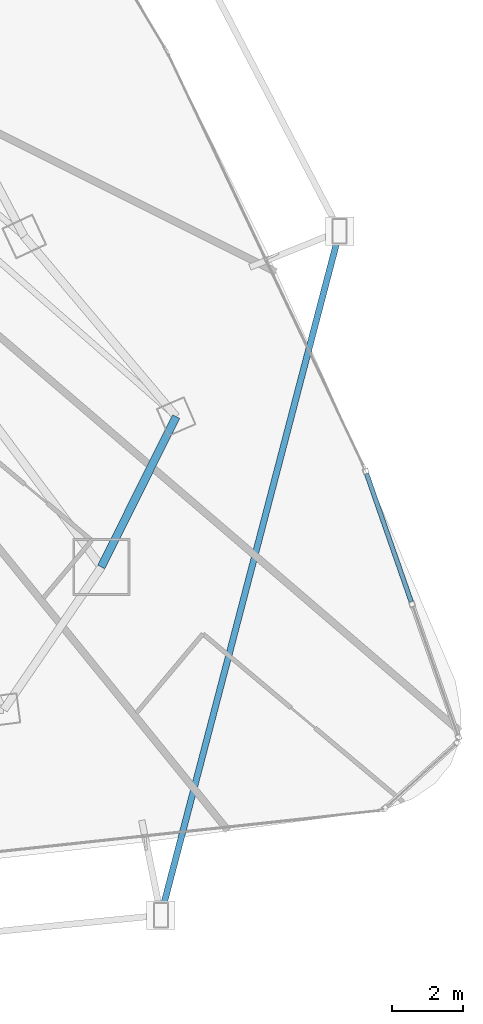
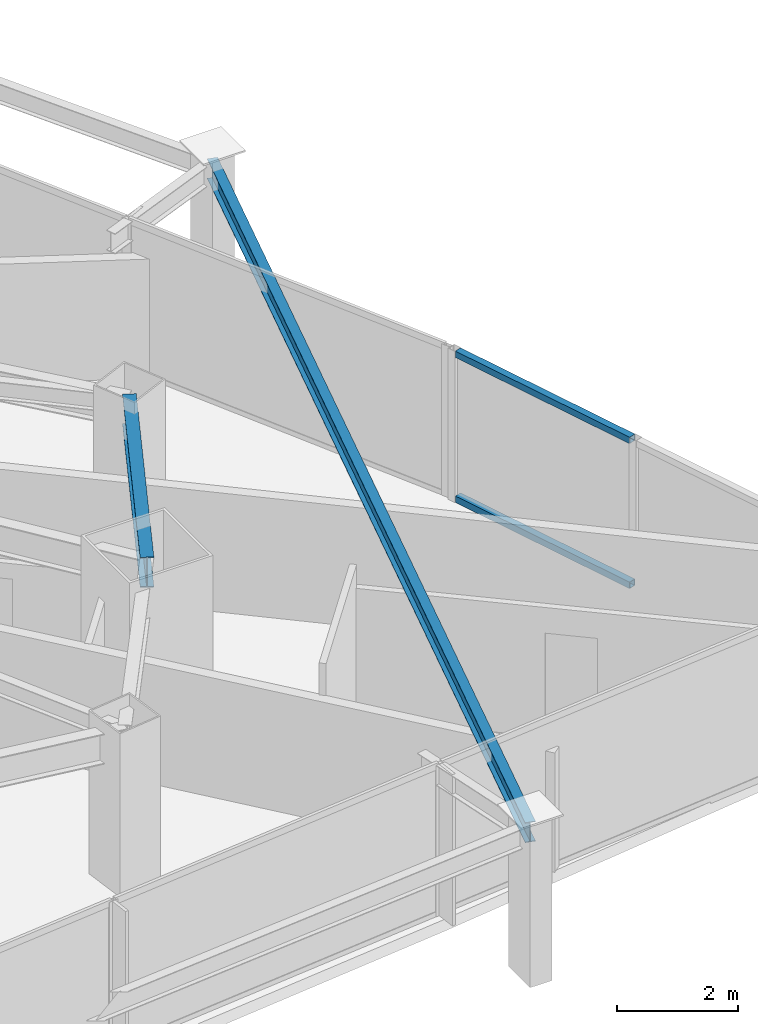
# One storey, part 15 of 35: 2 beams, 2 members, 1 element without a shape of its own.
"""IFC4 building model written with IfcOpenShell, lengths in metres."""

import ifcopenshell
import ifcopenshell.guid

model = None  # the IFC model being written
_history = None  # IfcOwnerHistory: only IFC2X3 demands one
_inside = {}  # id of a spatial element -> (the spatial element, [elements in it])
_under = {}  # id of a project, library or spatial element -> (it, [spatial elements below it])
_declared = {}  # id of a project -> (the project, [libraries it declares])
_typed = {}  # id of a type object -> (the type object, [elements of that type])
_made_of = {}  # id of a material, layer set ... -> (it, [elements and type objects made of it])


def new_model(schema):
    """Start an empty IFC model of exactly this schema.

    Asked for "IFC4X3", IfcOpenShell would pick the latest addendum, in which some entities
    have other attributes; the version numbers below select the first issue.
    IFC2X3 requires an IfcOwnerHistory on every rooted entity: one is made here for all.
    """
    global model, _history
    if schema == "IFC4X3":
        model = ifcopenshell.file(schema_version=(4, 3, 0, 0))
    else:
        model = ifcopenshell.file(schema=schema)
    _inside.clear()
    _under.clear()
    _declared.clear()
    _typed.clear()
    _made_of.clear()
    _history = None
    if model.schema == "IFC2X3":
        org = make("IfcOrganization", Name="unknown")
        user = make(
            "IfcPersonAndOrganization",
            ThePerson=make("IfcPerson", FamilyName="unknown"),
            TheOrganization=org,
        )
        app = make(
            "IfcApplication",
            ApplicationDeveloper=org,
            Version="unknown",
            ApplicationFullName="unknown",
            ApplicationIdentifier="unknown",
        )
        _history = make(
            "IfcOwnerHistory",
            OwningUser=user,
            OwningApplication=app,
            ChangeAction="ADDED",
            CreationDate=0,
        )
    return model


def make(cls, **values):
    """One entity of the class cls with the attributes given. An attribute that is None is left unset."""
    return model.create_entity(
        cls, **{name: value for name, value in values.items() if value is not None}
    )


def rooted(cls, **values):
    """An entity with a GlobalId (a new one), such as an element, a storey or a relation."""
    return make(cls, GlobalId=ifcopenshell.guid.new(), OwnerHistory=_history, **values)


def si_unit(unit_type, name, prefix=None):
    """IfcSIUnit, for example si_unit("LENGTHUNIT", "METRE", prefix="MILLI")."""
    return make("IfcSIUnit", UnitType=unit_type, Prefix=prefix, Name=name)


def assignment(units):
    """IfcUnitAssignment: the units of a project."""
    return None if units is None else make("IfcUnitAssignment", Units=units)


def point(xyz):
    """IfcCartesianPoint."""
    return None if xyz is None else make("IfcCartesianPoint", Coordinates=xyz)


def direction(xyz):
    """IfcDirection."""
    return None if xyz is None else make("IfcDirection", DirectionRatios=xyz)


def frame(location, z_axis=None, x_axis=None):
    """IfcAxis2Placement3D, a coordinate frame: its origin and axes. An axis left out is left unset."""
    return make(
        "IfcAxis2Placement3D",
        Location=point(location),
        Axis=direction(z_axis),
        RefDirection=direction(x_axis),
    )


def frame_2d(location, x_axis=None):
    """IfcAxis2Placement2D, a coordinate frame in the plane: its origin and x axis."""
    return make(
        "IfcAxis2Placement2D", Location=point(location), RefDirection=direction(x_axis)
    )


def origin():
    """The frame at (0, 0, 0) with its axes left unset."""
    return frame((0.0, 0.0, 0.0))


def origin_2d():
    """The frame at (0, 0) in the plane with its x axis left unset."""
    return frame_2d((0.0, 0.0))


def place(relative_to, where):
    """IfcLocalPlacement: puts the frame where relative to a parent placement (None: the world)."""
    return make(
        "IfcLocalPlacement", PlacementRelTo=relative_to, RelativePlacement=where
    )


def context(
    kind, dimensions, precision=None, world=None, true_north=None, identifier=None
):
    """IfcGeometricRepresentationContext, for example the 3D "Model" context."""
    return make(
        "IfcGeometricRepresentationContext",
        ContextIdentifier=identifier,
        ContextType=kind,
        CoordinateSpaceDimension=dimensions,
        Precision=precision,
        WorldCoordinateSystem=world,
        TrueNorth=true_north,
    )


def subcontext(parent, identifier, kind, view, scale=None):
    """IfcGeometricRepresentationSubContext, for example "Body" below "Model"."""
    return make(
        "IfcGeometricRepresentationSubContext",
        ContextIdentifier=identifier,
        ContextType=kind,
        ParentContext=parent,
        TargetScale=scale,
        TargetView=view,
    )


def project(units=None, contexts=None):
    """IfcProject with its units and contexts."""
    return rooted(
        "IfcProject",
        Name="project",
        RepresentationContexts=contexts,
        UnitsInContext=assignment(units),
    )


def spatial(cls, under=None, at=None, **own):
    """A site, building, storey or space (cls), placed at a placement, below another one or the project."""
    s = rooted(cls, ObjectPlacement=at, **own)
    if under is not None:
        _under.setdefault(under.id(), (under, []))[1].append(s)
    return s


def profile(cls, at=None, kind="AREA", **sizes):
    """A parametric profile (cls). Its sizes go by their IFC names, for example OverallWidth=200.0."""
    return make(cls, ProfileType=kind, Position=at, **sizes)


def hollow_rectangle(**sizes):
    """IfcRectangleHollowProfileDef."""
    return profile("IfcRectangleHollowProfileDef", **sizes)


def i_section(**sizes):
    """IfcIShapeProfileDef."""
    return profile("IfcIShapeProfileDef", **sizes)


def extrude(swept, where, along, depth):
    """IfcExtrudedAreaSolid: the profile swept, set in the frame where, extruded along a direction by depth."""
    return make(
        "IfcExtrudedAreaSolid",
        SweptArea=swept,
        Position=where,
        ExtrudedDirection=direction(along),
        Depth=depth,
    )


def shape(context_of_items, identifier, shape_type, items):
    """IfcShapeRepresentation: the items that make up one representation, for example the "Body"."""
    return make(
        "IfcShapeRepresentation",
        ContextOfItems=context_of_items,
        RepresentationIdentifier=identifier,
        RepresentationType=shape_type,
        Items=items,
    )


def material(Name=None, Category=None):
    """IfcMaterial."""
    return make("IfcMaterial", Name=Name, Category=Category)


def layer(
    of_material, thickness, ventilated=None, Name=None, Category=None, Priority=None
):
    """IfcMaterialLayer: one layer of a wall or slab, of a material (None: an air gap)."""
    return make(
        "IfcMaterialLayer",
        Material=of_material,
        LayerThickness=thickness,
        IsVentilated=ventilated,
        Name=Name,
        Category=Category,
        Priority=Priority,
    )


def layer_set(layers, Name=None):
    """IfcMaterialLayerSet."""
    return make("IfcMaterialLayerSet", MaterialLayers=layers, LayerSetName=Name)


def material_profile(
    of_material, cross_section, Name=None, Category=None, Priority=None
):
    """IfcMaterialProfile: a cross section and its material."""
    return make(
        "IfcMaterialProfile",
        Name=Name,
        Material=of_material,
        Profile=cross_section,
        Priority=Priority,
        Category=Category,
    )


def profile_set(profiles, Name=None, composite=None):
    """IfcMaterialProfileSet."""
    return make(
        "IfcMaterialProfileSet",
        Name=Name,
        MaterialProfiles=profiles,
        CompositeProfile=composite,
    )


def made_of(thing, what):
    """Note that an element or type object is made of a material, layer set ...; save() writes the relation."""
    if what is not None:
        _made_of.setdefault(what.id(), (what, []))[1].append(thing)
    return thing


def type_object(cls, material=None, **own):
    """A type object (cls), such as IfcWallType, which elements share."""
    return made_of(rooted(cls, **own), material)


def element(
    cls,
    number,
    at=None,
    inside=None,
    cuts=None,
    type_object=None,
    material=None,
    context=None,
    identifier="Body",
    shape_type=None,
    held_by="IfcProductDefinitionShape",
    body=None,
    shapes=None,
    **own,
):
    """One element of the class cls, such as IfcWall. Its Tag is "e" and its number.

    at: its placement. inside: the storey or other place that contains it. cuts: it is an
    opening in that element (IfcRelVoidsElement). A single representation is given by context,
    identifier, shape_type and body (its items); several are given by shapes. held_by: the class
    of the entity that holds the representations. save() writes the other relations.
    """
    e = rooted(cls, Tag="e%d" % number, ObjectPlacement=at, **own)
    if body is not None:
        shapes = [shape(context, identifier, shape_type, body)]
    if shapes is not None:
        e.Representation = make(held_by, Representations=shapes)
    if inside is not None:
        _inside.setdefault(inside.id(), (inside, []))[1].append(e)
    if cuts is not None:
        rooted(
            "IfcRelVoidsElement", RelatingBuildingElement=cuts, RelatedOpeningElement=e
        )
    if type_object is not None:
        _typed.setdefault(type_object.id(), (type_object, []))[1].append(e)
    return made_of(e, material)


def aggregate(whole, parts):
    """IfcRelAggregates: a whole, such as a stair, and the parts it consists of."""
    return rooted("IfcRelAggregates", RelatingObject=whole, RelatedObjects=parts)


def save(model, path):
    """Write the relations noted so far, then the file.

    IfcRelAggregates (storeys below a building ...), IfcRelContainedInSpatialStructure (elements
    in a storey), IfcRelDefinesByType, IfcRelAssociatesMaterial and IfcRelDeclares: one each for
    every whole, place, type object, material and project.
    """
    for whole, parts in _under.values():
        aggregate(whole, parts)
    for where, things in _inside.values():
        rooted(
            "IfcRelContainedInSpatialStructure",
            RelatedElements=things,
            RelatingStructure=where,
        )
    for kind, things in _typed.values():
        rooted("IfcRelDefinesByType", RelatedObjects=things, RelatingType=kind)
    for what, things in _made_of.values():
        rooted("IfcRelAssociatesMaterial", RelatedObjects=things, RelatingMaterial=what)
    for by, libraries in _declared.values():
        rooted("IfcRelDeclares", RelatingContext=by, RelatedDefinitions=libraries)
    model.write(path)


model = new_model("IFC4")

# Units and contexts
model_context = context("Model", 3, precision=1e-05, world=origin(), true_north=direction((0.0, 1.0)))
body_context = subcontext(model_context, "Body", "Model", "MODEL_VIEW")
ifc_project = project(units=[si_unit("LENGTHUNIT", "METRE"), si_unit("AREAUNIT", "SQUARE_METRE"), si_unit("VOLUMEUNIT", "CUBIC_METRE"), si_unit("PLANEANGLEUNIT", "RADIAN"), si_unit("MASSUNIT", "GRAM", prefix="KILO")], contexts=[model_context])

# Site, building, storey
site_placement = place(None, origin())
site = spatial("IfcSite", under=ifc_project, at=site_placement, CompositionType="ELEMENT")
building_placement = place(site_placement, origin())
building = spatial("IfcBuilding", under=site, at=building_placement, Name="Orvanel Arch Residences", CompositionType="ELEMENT")
storey_placement = place(building_placement, frame((0.0, 0.0, 40.10009765625)))
storey = spatial("IfcBuildingStorey", under=building, at=storey_placement, Name="L10", CompositionType="ELEMENT", Elevation=40.10009765625)

# Beams
ifc_material_1 = material(Name="Structural steel AS/NZS 3679.1 Grade 300 (300 MPa)", Category="steel")
ifc_material_profile_1 = material_profile(ifc_material_1, i_section(OverallWidth=0.177978515625, OverallDepth=0.406005859375, WebThickness=0.0078125, FlangeThickness=0.0126953125, at=origin_2d()), Name="410UB59.7")
ifc_profile_set_1 = profile_set([ifc_material_profile_1], Name="Structural steel AS/NZS 3679.1 Grade 300 (300 MPa)")
beam_type_1 = type_object("IfcBeamType", Name="OB-410UB-EXT", PredefinedType="SPANDREL", material=ifc_profile_set_1)
beam_1_placement = place(storey_placement, frame((53.47607421875, 0.55810546875, 2.85693359375), z_axis=(0.252814821994, 0.967514685046, 0.0), x_axis=(-0.967514685046, 0.252814821994, 0.0)))
element("IfcBeam", 1, at=beam_1_placement, inside=storey, type_object=beam_type_1, Name="L10 Outer Perimeter Floor Ring Beam 08", PredefinedType="SPANDREL", context=body_context, shape_type="SweptSolid", body=[
    extrude(i_section(OverallWidth=0.177978515625, OverallDepth=0.406005859375, WebThickness=0.0078125, FlangeThickness=0.0126953125, at=origin_2d()), origin(), (0.0, 0.0, 1.0), 19.879638671875),
])
ifc_material_profile_2 = material_profile(ifc_material_1, i_section(OverallWidth=0.22900390625, OverallDepth=0.612060546875, WebThickness=0.011962890625, FlangeThickness=0.01953125, at=origin_2d()), Name="610UB125")
ifc_profile_set_2 = profile_set([ifc_material_profile_2], Name="Structural steel AS/NZS 3679.1 Grade 300 (300 MPa)")
beam_type_2 = type_object("IfcBeamType", Name="SP-610UB", PredefinedType="SPANDREL", material=ifc_profile_set_2)
beam_2_placement = place(storey_placement, frame((51.801025390625, 10.35107421875, 2.75390625), z_axis=(0.44543469453, 0.895314432425, 0.0), x_axis=(-0.895314432425, 0.44543469453, 0.0)))
element("IfcBeam", 2, at=beam_2_placement, inside=storey, type_object=beam_type_2, Name="L10 Perimeter Spandrel Beam 11", PredefinedType="SPANDREL", context=body_context, shape_type="SweptSolid", body=[
    extrude(i_section(OverallWidth=0.22900390625, OverallDepth=0.612060546875, WebThickness=0.011962890625, FlangeThickness=0.01953125, at=origin_2d()), origin(), (0.0, 0.0, 1.0), 4.723388671875),
])

# Curtain wall, members
ifc_material_2 = material(Name="Bronze-anodised aluminium AA6063-T6", Category="aluminium")
ifc_layer = layer(ifc_material_2, 0.18994140625)
ifc_layer_set = layer_set([ifc_layer], Name="Bronze-anodised aluminium AA6063-T6")
curtain_wall_type = type_object("IfcCurtainWallType", Name="CW5-CRN-SYS", PredefinedType="NOTDEFINED", material=ifc_layer_set)
curtain_wall_placement = place(storey_placement, origin())
curtain_wall = element("IfcCurtainWall", 3, at=curtain_wall_placement, inside=storey, type_object=curtain_wall_type, Name="L10 CW5-CRN-SYS Unitised Curtain Wall", PredefinedType="NOTDEFINED")
ifc_material_profile_3 = material_profile(ifc_material_2, hollow_rectangle(XDim=0.1298828125, YDim=0.1298828125, WallThickness=0.00439453125, at=origin_2d()), Name="ALU130x130x4.5")
ifc_profile_set_3 = profile_set([ifc_material_profile_3], Name="Bronze-anodised aluminium AA6063-T6")
member_type = type_object("IfcMemberType", Name="TRN-130x130", PredefinedType="USERDEFINED", material=ifc_profile_set_3)
member_1_placement = place(storey_placement, frame((60.513916015625, 9.373779296875, 0.06494140625), z_axis=(-0.329288460288, 0.944229373575, 0.0), x_axis=(-0.944229373575, -0.329288460288, 0.0)))
member_1 = element("IfcMember", 4, at=member_1_placement, type_object=member_type, Name="CW-S5 transom 2.1", ObjectType="TRANSOM", PredefinedType="USERDEFINED", context=body_context, shape_type="SweptSolid", body=[
    extrude(hollow_rectangle(XDim=0.1298828125, YDim=0.1298828125, WallThickness=0.00439453125, at=origin_2d()), origin(), (0.0, 0.0, 1.0), 3.81005859375),
])
member_2_placement = place(storey_placement, frame((60.513916015625, 9.373779296875, 2.994873046875), z_axis=(-0.329288460288, 0.944229373575, 0.0), x_axis=(-0.944229373575, -0.329288460288, 0.0)))
member_2 = element("IfcMember", 5, at=member_2_placement, type_object=member_type, Name="CW-S5 transom 2.2", ObjectType="TRANSOM", PredefinedType="USERDEFINED", context=body_context, shape_type="SweptSolid", body=[
    extrude(hollow_rectangle(XDim=0.1298828125, YDim=0.1298828125, WallThickness=0.00439453125, at=origin_2d()), origin(), (0.0, 0.0, 1.0), 3.81005859375),
])
aggregate(curtain_wall, [member_1, member_2])

save(model, "model.ifc")
